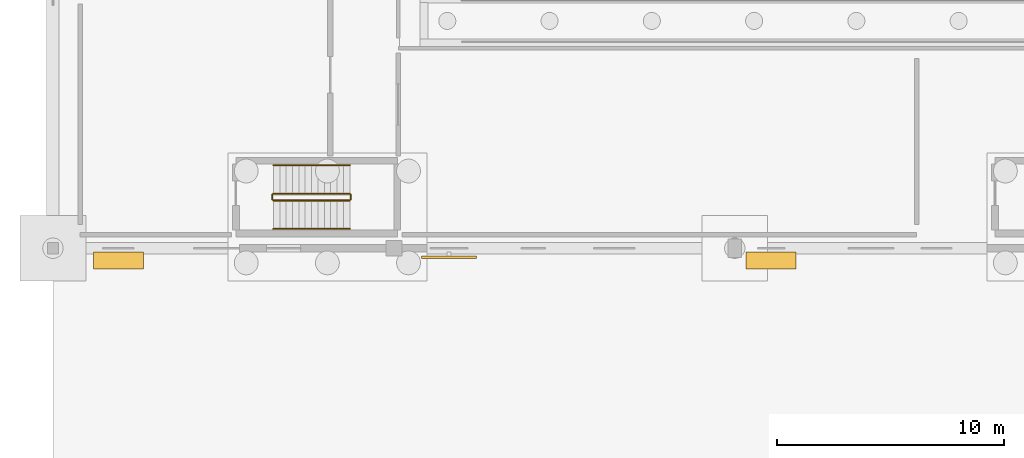
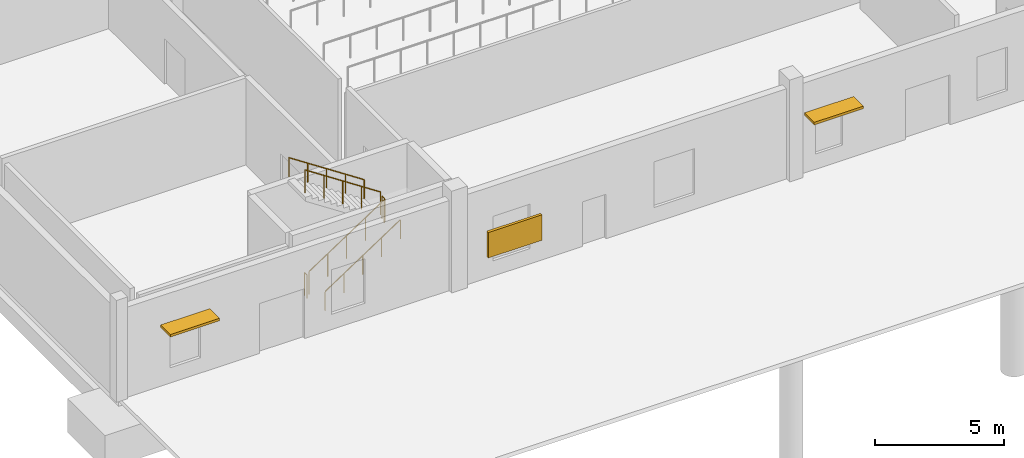
# One storey, part 269 of 285: 6 railings, 3 shading devices.
"""IFC4 building model written with IfcOpenShell, lengths in metres."""

from ifc_helpers import new_model, si_unit, direction, frame, origin, origin_2d, place, context, subcontext, project, spatial, rectangle, circle, extrude, material, layer, layer_set, type_object, element, save


model = new_model("IFC4")

# Units and contexts
model_context = context("Model", 3, precision=1e-05, world=origin(), true_north=direction((0.0, 1.0)))
body_context = subcontext(model_context, "Body", "Model", "MODEL_VIEW")
ifc_project = project(units=[si_unit("LENGTHUNIT", "METRE"), si_unit("AREAUNIT", "SQUARE_METRE"), si_unit("VOLUMEUNIT", "CUBIC_METRE"), si_unit("PLANEANGLEUNIT", "RADIAN"), si_unit("MASSUNIT", "GRAM", prefix="KILO")], contexts=[model_context])

# Site, building, storey
site_placement = place(None, origin())
site = spatial("IfcSite", under=ifc_project, at=site_placement, CompositionType="ELEMENT")
building_placement = place(site_placement, origin())
building = spatial("IfcBuilding", under=site, at=building_placement, Name="Solanera Park Tramway Depot", CompositionType="ELEMENT")
storey_placement = place(building_placement, origin())
storey = spatial("IfcBuildingStorey", under=building, at=storey_placement, Name="L00", CompositionType="ELEMENT", Elevation=0.0)

# Railings
ifc_material_1 = material(Name="Brushed stainless steel 316 handrail", Category="steel")
ifc_layer_1 = layer(ifc_material_1, 0.050048828125)
ifc_layer_set_1 = layer_set([ifc_layer_1], Name="Brushed stainless steel 316 handrail")
railing_type_1 = type_object("IfcRailingType", Name="Stair Pitch Tubular Handrail 920", PredefinedType="HANDRAIL", material=ifc_layer_set_1)
railing_1_placement = place(storey_placement, frame((9.699951171875, 11.64990234375, 0.1845703125)))
element("IfcRailing", 1, at=railing_1_placement, inside=storey, type_object=railing_type_1, Name="ST-08 L00 Pitch Handrail 1", PredefinedType="HANDRAIL", context=body_context, shape_type="SweptSolid", body=[
    extrude(circle(Radius=0.02392578125, at=origin_2d()), frame((0.0, 0.0, 0.89599609375), z_axis=(0.834876476806, 0.0, 0.550437342915), x_axis=(0.0, 1.0, 0.0)), (0.0, 0.0, 1.0), 4.024658203125),
    extrude(circle(Radius=0.02099609375, at=origin_2d()), origin(), (0.0, 0.0, 1.0), 0.871826171875),
    extrude(circle(Radius=0.02099609375, at=origin_2d()), frame((0.840087890625, 0.0, 0.5537109375)), (0.0, 0.0, 1.0), 0.871826171875),
    extrude(circle(Radius=0.02099609375, at=origin_2d()), frame((1.68017578125, 0.0, 1.107666015625)), (0.0, 0.0, 1.0), 0.871826171875),
    extrude(circle(Radius=0.02099609375, at=origin_2d()), frame((2.52001953125, 0.0, 1.66162109375)), (0.0, 0.0, 1.0), 0.871826171875),
    extrude(circle(Radius=0.02099609375, at=origin_2d()), frame((3.360107421875, 0.0, 2.21533203125)), (0.0, 0.0, 1.0), 0.871826171875),
])
railing_2_placement = place(storey_placement, frame((13.06005859375, 14.449951171875, 2.584716796875)))
element("IfcRailing", 2, at=railing_2_placement, inside=storey, type_object=railing_type_1, Name="ST-08 L00 Pitch Handrail 2", PredefinedType="HANDRAIL", context=body_context, shape_type="SweptSolid", body=[
    extrude(circle(Radius=0.02392578125, at=origin_2d()), frame((0.0, 0.0, 0.89599609375), z_axis=(-0.834876476806, 0.0, 0.550437342915), x_axis=(0.0, -1.0, 0.0)), (0.0, 0.0, 1.0), 4.024658203125),
    extrude(circle(Radius=0.02099609375, at=origin_2d()), origin(), (0.0, 0.0, 1.0), 0.871826171875),
    extrude(circle(Radius=0.02099609375, at=origin_2d()), frame((-0.840087890625, 0.0, 0.5537109375)), (0.0, 0.0, 1.0), 0.871826171875),
    extrude(circle(Radius=0.02099609375, at=origin_2d()), frame((-1.68017578125, 0.0, 1.107666015625)), (0.0, 0.0, 1.0), 0.871826171875),
    extrude(circle(Radius=0.02099609375, at=origin_2d()), frame((-2.52001953125, 0.0, 1.66162109375)), (0.0, 0.0, 1.0), 0.871826171875),
    extrude(circle(Radius=0.02099609375, at=origin_2d()), frame((-3.360107421875, 0.0, 2.21533203125)), (0.0, 0.0, 1.0), 0.871826171875),
])
ifc_material_2 = material(Name="Steel AS/NZS 1163 Grade C350L0", Category="steel")
ifc_layer_2 = layer(ifc_material_2, 0.06005859375)
ifc_layer_set_2 = layer_set([ifc_layer_2], Name="Steel AS/NZS 1163 Grade C350L0")
railing_type_2 = type_object("IfcRailingType", Name="Stairwell Guardrail 1100", PredefinedType="GUARDRAIL", material=ifc_layer_set_2)
railing_3_placement = place(storey_placement, frame((9.699951171875, 12.89990234375, 0.1845703125)))
element("IfcRailing", 3, at=railing_3_placement, inside=storey, type_object=railing_type_2, Name="ST-08 L00 Well Guard 1", PredefinedType="GUARDRAIL", context=body_context, shape_type="SweptSolid", body=[
    extrude(circle(Radius=0.02392578125, at=origin_2d()), frame((0.0, 0.0, 1.076171875), z_axis=(0.834876476806, 0.0, 0.550437342915), x_axis=(0.0, 1.0, 0.0)), (0.0, 0.0, 1.0), 4.024658203125),
    extrude(circle(Radius=0.02099609375, at=origin_2d()), origin(), (0.0, 0.0, 1.0), 1.052001953125),
    extrude(circle(Radius=0.02099609375, at=origin_2d()), frame((0.840087890625, 0.0, 0.5537109375)), (0.0, 0.0, 1.0), 1.052001953125),
    extrude(circle(Radius=0.02099609375, at=origin_2d()), frame((1.68017578125, 0.0, 1.107666015625)), (0.0, 0.0, 1.0), 1.052001953125),
    extrude(circle(Radius=0.02099609375, at=origin_2d()), frame((2.52001953125, 0.0, 1.66162109375)), (0.0, 0.0, 1.0), 1.052001953125),
    extrude(circle(Radius=0.02099609375, at=origin_2d()), frame((3.360107421875, 0.0, 2.21533203125)), (0.0, 0.0, 1.0), 1.052001953125),
])
railing_4_placement = place(storey_placement, frame((13.110107421875, 12.949951171875, 2.39990234375)))
element("IfcRailing", 4, at=railing_4_placement, inside=storey, type_object=railing_type_2, Name="ST-08 L00 Well Guard 2", PredefinedType="GUARDRAIL", context=body_context, shape_type="SweptSolid", body=[
    extrude(circle(Radius=0.02392578125, at=origin_2d()), frame((0.0, 0.0, 1.076171875), z_axis=(0.0, 1.0, 0.0), x_axis=(-1.0, 0.0, 0.0)), (0.0, 0.0, 1.0), 0.199951171875),
    extrude(circle(Radius=0.02099609375, at=origin_2d()), origin(), (0.0, 0.0, 1.0), 1.052001953125),
    extrude(circle(Radius=0.02099609375, at=origin_2d()), frame((0.0, 0.199951171875, 0.0)), (0.0, 0.0, 1.0), 1.052001953125),
])
railing_5_placement = place(storey_placement, frame((13.06005859375, 13.199951171875, 2.584716796875)))
element("IfcRailing", 5, at=railing_5_placement, inside=storey, type_object=railing_type_2, Name="ST-08 L00 Well Guard 3", PredefinedType="GUARDRAIL", context=body_context, shape_type="SweptSolid", body=[
    extrude(circle(Radius=0.02392578125, at=origin_2d()), frame((0.0, 0.0, 1.076171875), z_axis=(-0.834876476806, 0.0, 0.550437342915), x_axis=(0.0, -1.0, 0.0)), (0.0, 0.0, 1.0), 4.024658203125),
    extrude(circle(Radius=0.02099609375, at=origin_2d()), origin(), (0.0, 0.0, 1.0), 1.052001953125),
    extrude(circle(Radius=0.02099609375, at=origin_2d()), frame((-0.840087890625, 0.0, 0.5537109375)), (0.0, 0.0, 1.0), 1.052001953125),
    extrude(circle(Radius=0.02099609375, at=origin_2d()), frame((-1.68017578125, 0.0, 1.107666015625)), (0.0, 0.0, 1.0), 1.052001953125),
    extrude(circle(Radius=0.02099609375, at=origin_2d()), frame((-2.52001953125, 0.0, 1.66162109375)), (0.0, 0.0, 1.0), 1.052001953125),
    extrude(circle(Radius=0.02099609375, at=origin_2d()), frame((-3.360107421875, 0.0, 2.21533203125)), (0.0, 0.0, 1.0), 1.052001953125),
])
railing_6_placement = place(storey_placement, frame((9.64990234375, 12.949951171875, 0.0)))
element("IfcRailing", 6, at=railing_6_placement, inside=storey, type_object=railing_type_2, Name="ST-08 L00 Well Guard 4", PredefinedType="GUARDRAIL", context=body_context, shape_type="SweptSolid", body=[
    extrude(circle(Radius=0.02392578125, at=origin_2d()), frame((0.0, 0.0, 1.076171875), z_axis=(0.0, 1.0, 0.0), x_axis=(-1.0, 0.0, 0.0)), (0.0, 0.0, 1.0), 0.199951171875),
    extrude(circle(Radius=0.02099609375, at=origin_2d()), origin(), (0.0, 0.0, 1.0), 1.052001953125),
    extrude(circle(Radius=0.02099609375, at=origin_2d()), frame((0.0, 0.199951171875, 0.0)), (0.0, 0.0, 1.0), 1.052001953125),
])

# Shading devices
ifc_material_3 = material(Name="Extruded terracotta brise-soleil hood", Category="masonry")
shading_device_type_1 = type_object("IfcShadingDeviceType", Name="Terracotta Brise-Soleil Sunshade Hood 2200x750", PredefinedType="USERDEFINED", material=ifc_material_3)
for number, where, z_axis, x_axis, name in (
    (7, (2.875, 10.264892578125, 2.77001953125), (0.0, 0.0, 1.0), (1.0, 0.0, 0.0), "Terracotta Brise-Soleil Sunshade #001"),
    (8, (31.60009765625, 10.264892578125, 2.719970703125), (0.0, 0.0, 1.0), (1.0, 0.0, 0.0), "Terracotta Brise-Soleil Sunshade #003"),
):
    element("IfcShadingDevice", number, at=place(storey_placement, frame(where, z_axis=z_axis, x_axis=x_axis)), inside=storey, type_object=shading_device_type_1, Name=name, ObjectType="SUNSHADE", PredefinedType="USERDEFINED", context=body_context, shape_type="SweptSolid", body=[
        extrude(rectangle(XDim=2.199951171875, YDim=0.75, at=origin_2d()), origin(), (0.0, 0.0, 1.0), 0.1201171875),
    ])
ifc_material_4 = material(Name="Powder-coated aluminium aerofoil louvre", Category="aluminium")
shading_device_type_2 = type_object("IfcShadingDeviceType", Name="Timber-Look Aluminium Jalousie Louvre 2400x1200", PredefinedType="JALOUSIE", material=ifc_material_4)
shading_device_placement = place(storey_placement, frame((17.425048828125, 10.39990234375, 1.169921875), z_axis=(0.0, 0.0, 1.0), x_axis=(1.0, 0.0, 0.0)))
element("IfcShadingDevice", 9, at=shading_device_placement, inside=storey, type_object=shading_device_type_2, Name="Jalousie Louvre Screen #002", PredefinedType="JALOUSIE", context=body_context, shape_type="SweptSolid", body=[
    extrude(rectangle(XDim=2.39990234375, YDim=0.1201171875, at=origin_2d()), origin(), (0.0, 0.0, 1.0), 1.199951171875),
])

save(model, "model.ifc")
